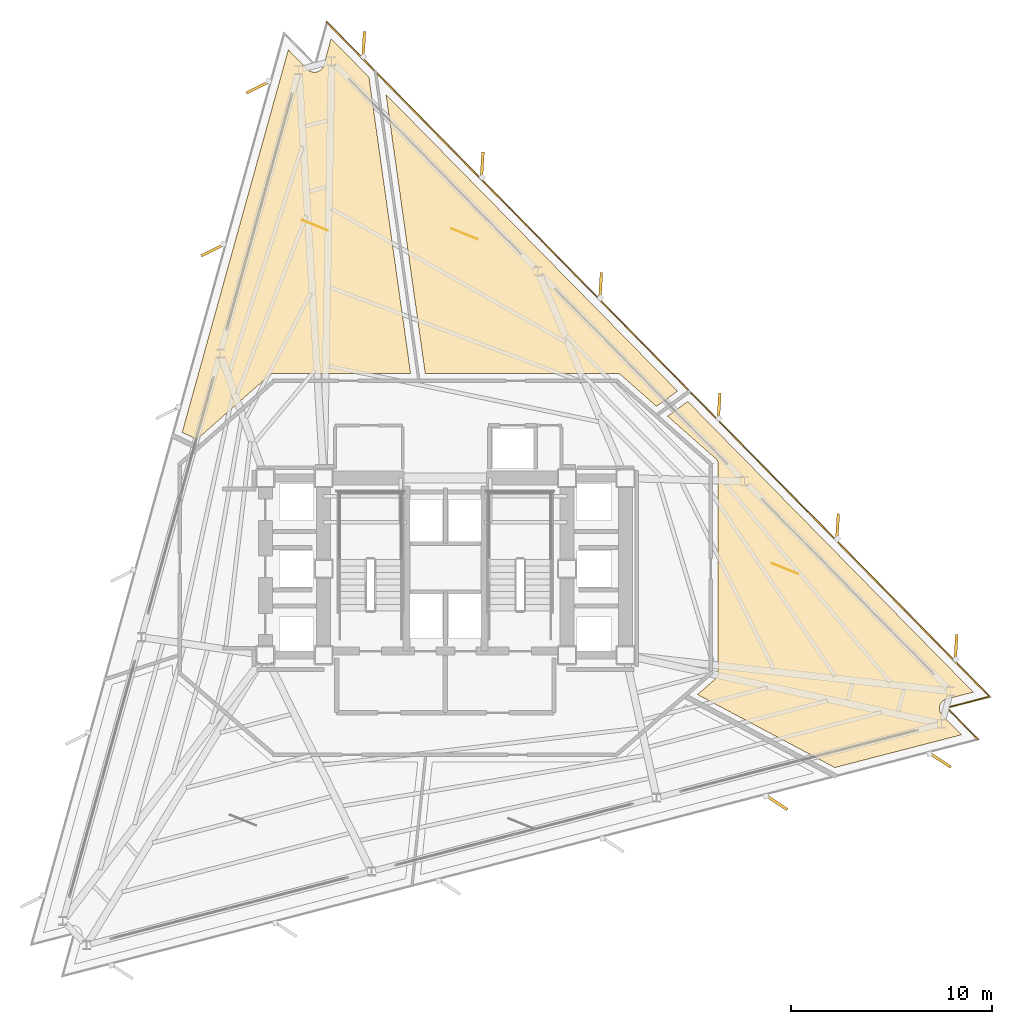
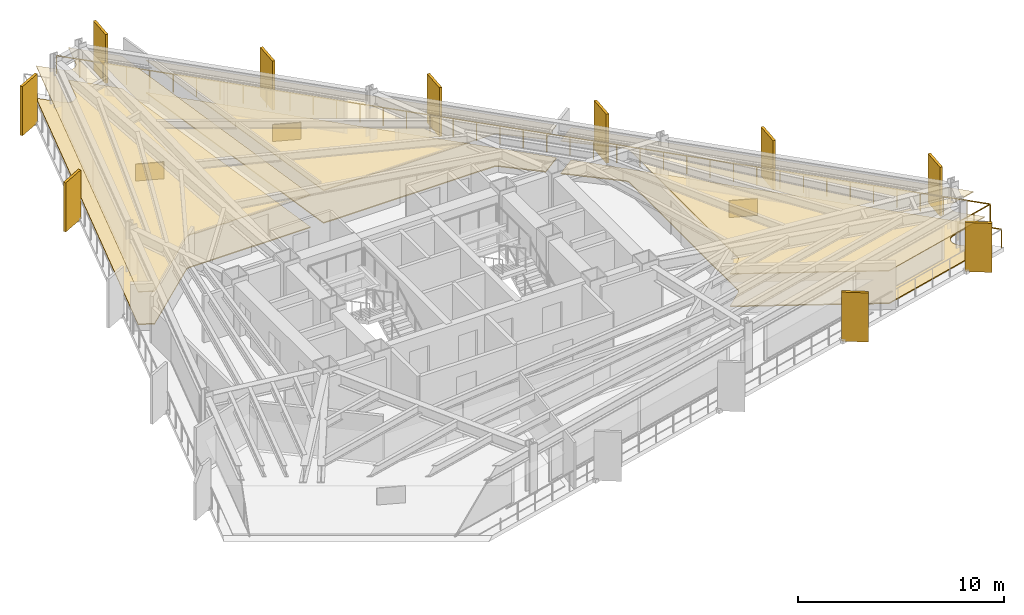
# One storey, part 11 of 11: 10 shading devices, 9 coverings, 1 railing.
"""IFC4 building model written with IfcOpenShell, lengths in metres."""

from ifc_helpers import new_model, si_unit, direction, frame, origin, origin_2d, place, context, subcontext, project, spatial, polyline, rectangle, outline, extrude, material, layer, layer_set, type_object, element, save


model = new_model("IFC4")

# Units and contexts
model_context = context("Model", 3, precision=1e-05, world=origin(), true_north=direction((0.0, 1.0)))
body_context = subcontext(model_context, "Body", "Model", "MODEL_VIEW")
ifc_project = project(units=[si_unit("LENGTHUNIT", "METRE"), si_unit("AREAUNIT", "SQUARE_METRE"), si_unit("VOLUMEUNIT", "CUBIC_METRE"), si_unit("PLANEANGLEUNIT", "RADIAN"), si_unit("MASSUNIT", "GRAM", prefix="KILO")], contexts=[model_context])

# Site, building, storey
site_placement = place(None, origin())
site = spatial("IfcSite", under=ifc_project, at=site_placement, CompositionType="ELEMENT")
building_placement = place(site_placement, origin())
building = spatial("IfcBuilding", under=site, at=building_placement, Name="Rocaltana Carrier Exchange", CompositionType="ELEMENT")
storey_placement = place(building_placement, frame((0.0, 0.0, 85.60009765625)))
storey = spatial("IfcBuildingStorey", under=building, at=storey_placement, Name="L26", CompositionType="ELEMENT", Elevation=85.60009765625)

# Coverings
ifc_material_1 = material(Name="Calcium Sulphate & Aluminium Pedestal", Category="aluminium")
ifc_layer_1 = layer(ifc_material_1, 0.06005859375)
ifc_layer_set_1 = layer_set([ifc_layer_1], Name="Calcium Sulphate & Aluminium Pedestal")
covering_type_1 = type_object("IfcCoveringType", Name="Anti-Static Raised Exchange Access Floor 60", PredefinedType="FLOORING", material=ifc_layer_set_1)
covering_1_placement = place(storey_placement, origin())
element("IfcCovering", 1, at=covering_1_placement, inside=storey, type_object=covering_type_1, Name="L26 Optical Switching Laboratory Finish Floor", PredefinedType="FLOORING", context=body_context, shape_type="SweptSolid", body=[
    extrude(outline(polyline([(26.24072265625, -6.1357421875), (24.915771484375, -6.478515625), (24.90234375, -6.482177734375), (24.88330078125, -6.48828125), (24.857177734375, -6.497802734375), (24.838623046875, -6.505615234375), (24.813720703125, -6.517822265625), (24.796142578125, -6.52734375), (24.7724609375, -6.5419921875), (24.755859375, -6.553466796875), (24.73388671875, -6.5703125), (24.718505859375, -6.583251953125), (24.697998046875, -6.602294921875), (24.684326171875, -6.61669921875), (24.666015625, -6.6376953125), (24.653564453125, -6.6533203125), (24.63720703125, -6.67578125), (24.62646484375, -6.692626953125), (24.61279296875, -6.717041015625), (24.603515625, -6.734619140625), (24.59228515625, -6.76025390625), (24.5849609375, -6.77880859375), (24.576416015625, -6.805419921875), (24.57080078125, -6.824462890625), (24.564697265625, -6.851806640625), (24.561279296875, -6.871337890625), (24.55810546875, -6.899169921875), (24.556640625, -6.9189453125), (24.55615234375, -6.947021484375), (24.556640625, -6.966796875), (24.558837890625, -6.99462890625), (24.561279296875, -7.014404296875), (24.56640625, -7.0419921875), (24.57080078125, -7.061279296875), (24.57861328125, -7.088134765625), (24.5849609375, -7.10693359375), (24.59521484375, -7.133056640625), (24.603515625, -7.151123046875), (24.6162109375, -7.17578125), (24.626220703125, -7.193115234375), (24.6416015625, -7.216552734375), (24.6533203125, -7.232666015625), (24.6708984375, -7.25439453125), (24.68408203125, -7.269287109375), (24.693603515625, -7.279541015625), (25.65283203125, -8.255615234375), (19.356201171875, -9.884033203125), (12.528564453125, -6.25390625), (13.43505859375, -5.47265625), (13.44482421875, -5.4638671875), (13.450439453125, -5.45849609375), (13.468994140625, -5.439208984375), (13.47412109375, -5.433349609375), (13.490478515625, -5.41259765625), (13.4951171875, -5.40625), (13.509521484375, -5.3837890625), (13.51318359375, -5.377197265625), (13.525634765625, -5.353515625), (13.52880859375, -5.346435546875), (13.538818359375, -5.32177734375), (13.541259765625, -5.314453125), (13.548828125, -5.288818359375), (13.550537109375, -5.281494140625), (13.5556640625, -5.255126953125), (13.556884765625, -5.24755859375), (13.559326171875, -5.220947265625), (13.559814453125, -5.21337890625), (13.56005859375, -5.199951171875), (13.56005859375, 5.199951171875), (13.559814453125, 5.213134765625), (13.559326171875, 5.220703125), (13.556884765625, 5.246826171875), (13.555908203125, 5.25439453125), (13.55078125, 5.2802734375), (13.549072265625, 5.28759765625), (13.541748046875, 5.31298828125), (13.539306640625, 5.320068359375), (13.529541015625, 5.344482421875), (13.526611328125, 5.351318359375), (13.5146484375, 5.375), (13.5107421875, 5.38134765625), (13.49658203125, 5.40380859375), (13.492431640625, 5.409912109375), (13.476318359375, 5.4306640625), (13.471435546875, 5.436279296875), (13.453369140625, 5.455810546875), (13.447998046875, 5.4609375), (13.438232421875, 5.469970703125), (11.047119140625, 7.581298828125), (12.047119140625, 8.307861328125), (26.24072265625, -6.1357421875)])), origin(), (0.0, 0.0, 1.0), 0.059814453125),
])
covering_2_placement = place(storey_placement, origin())
element("IfcCovering", 2, at=covering_2_placement, inside=storey, type_object=covering_type_1, Name="L26 Quiet Focus Lounge Finish Floor", PredefinedType="FLOORING", context=body_context, shape_type="SweptSolid", body=[
    extrude(outline(polyline([(11.536865234375, 8.826904296875), (10.494140625, 8.0693359375), (8.73828125, 9.619873046875), (8.727294921875, 9.629150390625), (8.720703125, 9.63427734375), (8.697265625, 9.651123046875), (8.690185546875, 9.655517578125), (8.6650390625, 9.669921875), (8.65771484375, 9.673583984375), (8.631103515625, 9.68505859375), (8.62353515625, 9.68798828125), (8.595947265625, 9.697021484375), (8.587890625, 9.698974609375), (8.5595703125, 9.704833984375), (8.551513671875, 9.706298828125), (8.522705078125, 9.709228515625), (8.514404296875, 9.709716796875), (8.5, 9.7099609375), (-1.001220703125, 9.7099609375), (-2.94873046875, 23.567626953125), (11.536865234375, 8.826904296875)])), origin(), (0.0, 0.0, 1.0), 0.059814453125),
])
covering_3_placement = place(storey_placement, origin())
element("IfcCovering", 3, at=covering_3_placement, inside=storey, type_object=covering_type_1, Name="L26 Peering Conference Room Finish Floor", PredefinedType="FLOORING", context=body_context, shape_type="SweptSolid", body=[
    extrude(outline(polyline([(-7.806640625, 25.79296875), (-6.847412109375, 24.81689453125), (-6.83740234375, 24.80712890625), (-6.82275390625, 24.793701171875), (-6.80126953125, 24.775634765625), (-6.785400390625, 24.763671875), (-6.76220703125, 24.748046875), (-6.7451171875, 24.73779296875), (-6.720703125, 24.724609375), (-6.70263671875, 24.7158203125), (-6.677001953125, 24.705078125), (-6.658203125, 24.698486328125), (-6.63134765625, 24.690185546875), (-6.612060546875, 24.685302734375), (-6.584716796875, 24.679931640625), (-6.56494140625, 24.677001953125), (-6.537109375, 24.67431640625), (-6.517333984375, 24.673583984375), (-6.489501953125, 24.673583984375), (-6.469482421875, 24.6748046875), (-6.441650390625, 24.677490234375), (-6.422119140625, 24.6806640625), (-6.39453125, 24.686279296875), (-6.375244140625, 24.691162109375), (-6.3486328125, 24.699462890625), (-6.330078125, 24.706298828125), (-6.30419921875, 24.71728515625), (-6.286376953125, 24.72607421875), (-6.261962890625, 24.739501953125), (-6.244873046875, 24.75), (-6.221923828125, 24.765869140625), (-6.2060546875, 24.77783203125), (-6.184814453125, 24.7958984375), (-6.170166015625, 24.8095703125), (-6.15087890625, 24.82958984375), (-6.1376953125, 24.844482421875), (-6.120361328125, 24.866455078125), (-6.108642578125, 24.8828125), (-6.09375, 24.90625), (-6.083740234375, 24.923583984375), (-6.071044921875, 24.948486328125), (-6.06298828125, 24.966552734375), (-6.052978515625, 24.99267578125), (-6.046630859375, 25.01171875), (-6.04248046875, 25.02490234375), (-5.6767578125, 26.34375), (-3.797119140625, 24.430908203125), (-1.728271484375, 9.7099609375), (-8.5, 9.7099609375), (-8.514404296875, 9.709716796875), (-8.522705078125, 9.709228515625), (-8.551513671875, 9.706298828125), (-8.5595703125, 9.704833984375), (-8.587890625, 9.698974609375), (-8.595947265625, 9.697021484375), (-8.62353515625, 9.68798828125), (-8.631103515625, 9.68505859375), (-8.65771484375, 9.673583984375), (-8.6650390625, 9.669921875), (-8.690185546875, 9.655517578125), (-8.697265625, 9.651123046875), (-8.720703125, 9.63427734375), (-8.727294921875, 9.629150390625), (-8.73828125, 9.619873046875), (-12.35498046875, 6.426513671875), (-13.07958984375, 6.77978515625), (-7.806640625, 25.79296875)])), origin(), (0.0, 0.0, 1.0), 0.059814453125),
])
ifc_material_2 = material(Name="Mineral Fibre & Powder-Coated Aluminium", Category="aluminium")
ifc_layer_2 = layer(ifc_material_2, 0.044921875)
ifc_layer_set_2 = layer_set([ifc_layer_2], Name="Mineral Fibre & Powder-Coated Aluminium")
covering_type_2 = type_object("IfcCoveringType", Name="Micro-Perforated Acoustic Ceiling 45", PredefinedType="CEILING", material=ifc_layer_set_2)
covering_4_placement = place(storey_placement, frame((0.0, 0.0, 1.932861328125)))
element("IfcCovering", 4, at=covering_4_placement, inside=storey, type_object=covering_type_2, Name="L26 Optical Switching Laboratory Acoustic Ceiling", PredefinedType="CEILING", context=body_context, shape_type="SweptSolid", body=[
    extrude(outline(polyline([(26.24072265625, -6.1357421875), (24.915771484375, -6.478515625), (24.90234375, -6.482177734375), (24.88330078125, -6.48828125), (24.857177734375, -6.497802734375), (24.838623046875, -6.505615234375), (24.813720703125, -6.517822265625), (24.796142578125, -6.52734375), (24.7724609375, -6.5419921875), (24.755859375, -6.553466796875), (24.73388671875, -6.5703125), (24.718505859375, -6.583251953125), (24.697998046875, -6.602294921875), (24.684326171875, -6.61669921875), (24.666015625, -6.6376953125), (24.653564453125, -6.6533203125), (24.63720703125, -6.67578125), (24.62646484375, -6.692626953125), (24.61279296875, -6.717041015625), (24.603515625, -6.734619140625), (24.59228515625, -6.76025390625), (24.5849609375, -6.77880859375), (24.576416015625, -6.805419921875), (24.57080078125, -6.824462890625), (24.564697265625, -6.851806640625), (24.561279296875, -6.871337890625), (24.55810546875, -6.899169921875), (24.556640625, -6.9189453125), (24.55615234375, -6.947021484375), (24.556640625, -6.966796875), (24.558837890625, -6.99462890625), (24.561279296875, -7.014404296875), (24.56640625, -7.0419921875), (24.57080078125, -7.061279296875), (24.57861328125, -7.088134765625), (24.5849609375, -7.10693359375), (24.59521484375, -7.133056640625), (24.603515625, -7.151123046875), (24.6162109375, -7.17578125), (24.626220703125, -7.193115234375), (24.6416015625, -7.216552734375), (24.6533203125, -7.232666015625), (24.6708984375, -7.25439453125), (24.68408203125, -7.269287109375), (24.693603515625, -7.279541015625), (25.65283203125, -8.255615234375), (19.356201171875, -9.884033203125), (12.528564453125, -6.25390625), (13.43505859375, -5.47265625), (13.44482421875, -5.4638671875), (13.450439453125, -5.45849609375), (13.468994140625, -5.439208984375), (13.47412109375, -5.433349609375), (13.490478515625, -5.41259765625), (13.4951171875, -5.40625), (13.509521484375, -5.3837890625), (13.51318359375, -5.377197265625), (13.525634765625, -5.353515625), (13.52880859375, -5.346435546875), (13.538818359375, -5.32177734375), (13.541259765625, -5.314453125), (13.548828125, -5.288818359375), (13.550537109375, -5.281494140625), (13.5556640625, -5.255126953125), (13.556884765625, -5.24755859375), (13.559326171875, -5.220947265625), (13.559814453125, -5.21337890625), (13.56005859375, -5.199951171875), (13.56005859375, 5.199951171875), (13.559814453125, 5.213134765625), (13.559326171875, 5.220703125), (13.556884765625, 5.246826171875), (13.555908203125, 5.25439453125), (13.55078125, 5.2802734375), (13.549072265625, 5.28759765625), (13.541748046875, 5.31298828125), (13.539306640625, 5.320068359375), (13.529541015625, 5.344482421875), (13.526611328125, 5.351318359375), (13.5146484375, 5.375), (13.5107421875, 5.38134765625), (13.49658203125, 5.40380859375), (13.492431640625, 5.409912109375), (13.476318359375, 5.4306640625), (13.471435546875, 5.436279296875), (13.453369140625, 5.455810546875), (13.447998046875, 5.4609375), (13.438232421875, 5.469970703125), (11.047119140625, 7.581298828125), (12.047119140625, 8.307861328125), (26.24072265625, -6.1357421875)])), origin(), (0.0, 0.0, 1.0), 0.044921875),
])
covering_5_placement = place(storey_placement, frame((0.0, 0.0, 1.932861328125)))
element("IfcCovering", 5, at=covering_5_placement, inside=storey, type_object=covering_type_2, Name="L26 Quiet Focus Lounge Acoustic Ceiling", PredefinedType="CEILING", context=body_context, shape_type="SweptSolid", body=[
    extrude(outline(polyline([(11.536865234375, 8.826904296875), (10.494140625, 8.0693359375), (8.73828125, 9.619873046875), (8.727294921875, 9.629150390625), (8.720703125, 9.63427734375), (8.697265625, 9.651123046875), (8.690185546875, 9.655517578125), (8.6650390625, 9.669921875), (8.65771484375, 9.673583984375), (8.631103515625, 9.68505859375), (8.62353515625, 9.68798828125), (8.595947265625, 9.697021484375), (8.587890625, 9.698974609375), (8.5595703125, 9.704833984375), (8.551513671875, 9.706298828125), (8.522705078125, 9.709228515625), (8.514404296875, 9.709716796875), (8.5, 9.7099609375), (-1.001220703125, 9.7099609375), (-2.94873046875, 23.567626953125), (11.536865234375, 8.826904296875)])), origin(), (0.0, 0.0, 1.0), 0.044921875),
])
covering_6_placement = place(storey_placement, frame((0.0, 0.0, 1.932861328125)))
element("IfcCovering", 6, at=covering_6_placement, inside=storey, type_object=covering_type_2, Name="L26 Peering Conference Room Acoustic Ceiling", PredefinedType="CEILING", context=body_context, shape_type="SweptSolid", body=[
    extrude(outline(polyline([(-7.806640625, 25.79296875), (-6.847412109375, 24.81689453125), (-6.83740234375, 24.80712890625), (-6.82275390625, 24.793701171875), (-6.80126953125, 24.775634765625), (-6.785400390625, 24.763671875), (-6.76220703125, 24.748046875), (-6.7451171875, 24.73779296875), (-6.720703125, 24.724609375), (-6.70263671875, 24.7158203125), (-6.677001953125, 24.705078125), (-6.658203125, 24.698486328125), (-6.63134765625, 24.690185546875), (-6.612060546875, 24.685302734375), (-6.584716796875, 24.679931640625), (-6.56494140625, 24.677001953125), (-6.537109375, 24.67431640625), (-6.517333984375, 24.673583984375), (-6.489501953125, 24.673583984375), (-6.469482421875, 24.6748046875), (-6.441650390625, 24.677490234375), (-6.422119140625, 24.6806640625), (-6.39453125, 24.686279296875), (-6.375244140625, 24.691162109375), (-6.3486328125, 24.699462890625), (-6.330078125, 24.706298828125), (-6.30419921875, 24.71728515625), (-6.286376953125, 24.72607421875), (-6.261962890625, 24.739501953125), (-6.244873046875, 24.75), (-6.221923828125, 24.765869140625), (-6.2060546875, 24.77783203125), (-6.184814453125, 24.7958984375), (-6.170166015625, 24.8095703125), (-6.15087890625, 24.82958984375), (-6.1376953125, 24.844482421875), (-6.120361328125, 24.866455078125), (-6.108642578125, 24.8828125), (-6.09375, 24.90625), (-6.083740234375, 24.923583984375), (-6.071044921875, 24.948486328125), (-6.06298828125, 24.966552734375), (-6.052978515625, 24.99267578125), (-6.046630859375, 25.01171875), (-6.04248046875, 25.02490234375), (-5.6767578125, 26.34375), (-3.797119140625, 24.430908203125), (-1.728271484375, 9.7099609375), (-8.5, 9.7099609375), (-8.514404296875, 9.709716796875), (-8.522705078125, 9.709228515625), (-8.551513671875, 9.706298828125), (-8.5595703125, 9.704833984375), (-8.587890625, 9.698974609375), (-8.595947265625, 9.697021484375), (-8.62353515625, 9.68798828125), (-8.631103515625, 9.68505859375), (-8.65771484375, 9.673583984375), (-8.6650390625, 9.669921875), (-8.690185546875, 9.655517578125), (-8.697265625, 9.651123046875), (-8.720703125, 9.63427734375), (-8.727294921875, 9.629150390625), (-8.73828125, 9.619873046875), (-12.35498046875, 6.426513671875), (-13.07958984375, 6.77978515625), (-7.806640625, 25.79296875)])), origin(), (0.0, 0.0, 1.0), 0.044921875),
])
ifc_material_3 = material(Name="Honed Piedra Muneca Sandstone", Category="masonry")
ifc_layer_3 = layer(ifc_material_3, 0.034912109375)
ifc_layer_set_3 = layer_set([ifc_layer_3], Name="Honed Piedra Muneca Sandstone")
covering_type_3 = type_object("IfcCoveringType", Name="Stone Facade Cladding 35", PredefinedType="CLADDING", material=ifc_layer_set_3)
for number, where, z_axis, x_axis, name in (
    (7, (16.885498046875, 0.0, 0.0), (0.0, 0.0, 1.0), (-0.927183854567, 0.374606593416, 0.0), "L26 Stone Facade Cladding Panel 4"),
    (8, (0.942626953125, 16.638916015625, 0.0), (0.0, 0.0, 1.0), (-0.927183854567, 0.374606593416, 0.0), "L26 Stone Facade Cladding Panel 5"),
    (9, (-6.494140625, 17.070556640625, 0.0), (0.0, 0.0, 1.0), (-0.927183854567, 0.374606593416, 0.0), "L26 Stone Facade Cladding Panel 6"),
):
    element("IfcCovering", number, at=place(storey_placement, frame(where, z_axis=z_axis, x_axis=x_axis)), inside=storey, type_object=covering_type_3, Name=name, PredefinedType="CLADDING", context=body_context, shape_type="SweptSolid", body=[
        extrude(rectangle(XDim=1.39990234375, YDim=0.034912109375, at=origin_2d()), origin(), (0.0, 0.0, 1.0), 1.050048828125),
    ])

# Shading devices
ifc_material_4 = material(Name="Honed Bogota Sandstone & Concrete C45/55", Category="masonry")
ifc_layer_4 = layer(ifc_material_4, 0.139892578125)
ifc_layer_set_4 = layer_set([ifc_layer_4], Name="Honed Bogota Sandstone & Concrete C45/55")
shading_device_type = type_object("IfcShadingDeviceType", Name="Vertical Sandstone Shading Fin 1320x140", PredefinedType="USERDEFINED", material=ifc_layer_set_4)
for number, where, z_axis, x_axis, name in (
    (10, (25.38134765625, -3.9189453125, -0.1201171875), (0.0, 0.0, 1.0), (0.061048539535, 0.998134798422, 0.0), "L26 Sandstone Vertical Fin F1-01"),
    (11, (19.49365234375, 2.072509765625, -0.1201171875), (0.0, 0.0, 1.0), (0.061048539535, 0.998134798422, 0.0), "L26 Sandstone Vertical Fin F1-02"),
    (12, (13.60595703125, 8.063720703125, -0.1201171875), (0.0, 0.0, 1.0), (0.061048539535, 0.998134798422, 0.0), "L26 Sandstone Vertical Fin F1-03"),
    (13, (7.718505859375, 14.054931640625, -0.1201171875), (0.0, 0.0, 1.0), (0.061048539535, 0.998134798422, 0.0), "L26 Sandstone Vertical Fin F1-04"),
    (14, (1.830810546875, 20.04638671875, -0.1201171875), (0.0, 0.0, 1.0), (0.061048539535, 0.998134798422, 0.0), "L26 Sandstone Vertical Fin F1-05"),
    (15, (-4.056884765625, 26.03759765625, -0.1201171875), (0.0, 0.0, 1.0), (0.061048539535, 0.998134798422, 0.0), "L26 Sandstone Vertical Fin F1-06"),
    (16, (-9.296630859375, 23.940185546875, -0.1201171875), (0.0, 0.0, 1.0), (-0.894934361602, -0.44619781311, 0.0), "L26 Sandstone Vertical Fin F2-01"),
    (17, (-11.54150390625, 15.845703125, -0.1201171875), (0.0, 0.0, 1.0), (-0.894934361602, -0.44619781311, 0.0), "L26 Sandstone Vertical Fin F2-02"),
    (18, (16.4453125, -11.608642578125, -0.1201171875), (0.0, 0.0, 1.0), (0.833885822067, -0.551936985312, 0.0), "L26 Sandstone Vertical Fin F3-05"),
    (19, (24.57763671875, -9.50537109375, -0.1201171875), (0.0, 0.0, 1.0), (0.833885822067, -0.551936985312, 0.0), "L26 Sandstone Vertical Fin F3-06"),
):
    element("IfcShadingDevice", number, at=place(storey_placement, frame(where, z_axis=z_axis, x_axis=x_axis)), inside=storey, type_object=shading_device_type, Name=name, ObjectType="FIN", PredefinedType="USERDEFINED", context=body_context, shape_type="SweptSolid", body=[
        extrude(rectangle(XDim=1.320068359375, YDim=0.139892578125, at=origin_2d()), origin(), (0.0, 0.0, 1.0), 2.907958984375),
    ])

# Railing
ifc_material_5 = material(Name="Powder-Coated Aluminium 6063-T6", Category="aluminium")
ifc_layer_5 = layer(ifc_material_5, 0.06005859375)
ifc_layer_set_5 = layer_set([ifc_layer_5], Name="Powder-Coated Aluminium 6063-T6")
railing_type = type_object("IfcRailingType", Name="Wind-Floor & Terrace Perimeter Guardrail 1100", PredefinedType="GUARDRAIL", material=ifc_layer_set_5)
railing_placement = place(storey_placement, frame((-5.88720703125, 27.156982421875, 0.0)))
element("IfcRailing", 20, at=railing_placement, inside=storey, type_object=railing_type, Name="L26 Perimeter Balcony Guardrail 3", PredefinedType="GUARDRAIL", context=body_context, shape_type="SweptSolid", body=[
    extrude(rectangle(XDim=0.048095703125, YDim=0.048095703125, at=origin_2d()), frame((0.0, 0.0, 1.076171875), z_axis=(0.7009130267, -0.713246751835, 0.0), x_axis=(0.713246751835, 0.7009130267, 0.0)), (0.0, 0.0, 1.0), 46.9921875),
    extrude(rectangle(XDim=0.048095703125, YDim=0.048095703125, at=origin_2d()), frame((32.9375, -33.51708984375, 1.076171875), z_axis=(-0.968152477167, -0.250361300835, 0.0), x_axis=(0.250361300835, -0.968152477167, 0.0)), (0.0, 0.0, 1.0), 2.199951171875),
    extrude(rectangle(XDim=0.048095703125, YDim=0.048095703125, at=origin_2d()), frame((30.8076171875, -34.06787109375, 1.076171875), z_axis=(0.700920820206, -0.713239093012, 0.0), x_axis=(0.713239093012, 0.700920820206, 0.0)), (0.0, 0.0, 1.0), 2.199951171875),
    extrude(rectangle(XDim=0.0419921875, YDim=0.0419921875, at=origin_2d()), origin(), (0.0, 0.0, 1.0), 1.052001953125),
    extrude(rectangle(XDim=0.0419921875, YDim=0.0419921875, at=origin_2d()), frame((0.823486328125, -0.837890625, 0.0)), (0.0, 0.0, 1.0), 1.052001953125),
    extrude(rectangle(XDim=0.0419921875, YDim=0.0419921875, at=origin_2d()), frame((1.64697265625, -1.67578125, 0.0)), (0.0, 0.0, 1.0), 1.052001953125),
    extrude(rectangle(XDim=0.0419921875, YDim=0.0419921875, at=origin_2d()), frame((2.47021484375, -2.513671875, 0.0)), (0.0, 0.0, 1.0), 1.052001953125),
    extrude(rectangle(XDim=0.0419921875, YDim=0.0419921875, at=origin_2d()), frame((3.293701171875, -3.351806640625, 0.0)), (0.0, 0.0, 1.0), 1.052001953125),
    extrude(rectangle(XDim=0.0419921875, YDim=0.0419921875, at=origin_2d()), frame((4.1171875, -4.189697265625, 0.0)), (0.0, 0.0, 1.0), 1.052001953125),
    extrude(rectangle(XDim=0.0419921875, YDim=0.0419921875, at=origin_2d()), frame((4.940673828125, -5.027587890625, 0.0)), (0.0, 0.0, 1.0), 1.052001953125),
    extrude(rectangle(XDim=0.0419921875, YDim=0.0419921875, at=origin_2d()), frame((5.76416015625, -5.865478515625, 0.0)), (0.0, 0.0, 1.0), 1.052001953125),
    extrude(rectangle(XDim=0.0419921875, YDim=0.0419921875, at=origin_2d()), frame((6.58740234375, -6.703369140625, 0.0)), (0.0, 0.0, 1.0), 1.052001953125),
    extrude(rectangle(XDim=0.0419921875, YDim=0.0419921875, at=origin_2d()), frame((7.410888671875, -7.541259765625, 0.0)), (0.0, 0.0, 1.0), 1.052001953125),
    extrude(rectangle(XDim=0.0419921875, YDim=0.0419921875, at=origin_2d()), frame((8.234375, -8.37939453125, 0.0)), (0.0, 0.0, 1.0), 1.052001953125),
    extrude(rectangle(XDim=0.0419921875, YDim=0.0419921875, at=origin_2d()), frame((9.057861328125, -9.21728515625, 0.0)), (0.0, 0.0, 1.0), 1.052001953125),
    extrude(rectangle(XDim=0.0419921875, YDim=0.0419921875, at=origin_2d()), frame((9.88134765625, -10.05517578125, 0.0)), (0.0, 0.0, 1.0), 1.052001953125),
    extrude(rectangle(XDim=0.0419921875, YDim=0.0419921875, at=origin_2d()), frame((10.70458984375, -10.89306640625, 0.0)), (0.0, 0.0, 1.0), 1.052001953125),
    extrude(rectangle(XDim=0.0419921875, YDim=0.0419921875, at=origin_2d()), frame((11.528076171875, -11.73095703125, 0.0)), (0.0, 0.0, 1.0), 1.052001953125),
    extrude(rectangle(XDim=0.0419921875, YDim=0.0419921875, at=origin_2d()), frame((12.3515625, -12.56884765625, 0.0)), (0.0, 0.0, 1.0), 1.052001953125),
    extrude(rectangle(XDim=0.0419921875, YDim=0.0419921875, at=origin_2d()), frame((13.175048828125, -13.40673828125, 0.0)), (0.0, 0.0, 1.0), 1.052001953125),
    extrude(rectangle(XDim=0.0419921875, YDim=0.0419921875, at=origin_2d()), frame((13.99853515625, -14.244873046875, 0.0)), (0.0, 0.0, 1.0), 1.052001953125),
    extrude(rectangle(XDim=0.0419921875, YDim=0.0419921875, at=origin_2d()), frame((14.82177734375, -15.082763671875, 0.0)), (0.0, 0.0, 1.0), 1.052001953125),
    extrude(rectangle(XDim=0.0419921875, YDim=0.0419921875, at=origin_2d()), frame((15.645263671875, -15.920654296875, 0.0)), (0.0, 0.0, 1.0), 1.052001953125),
    extrude(rectangle(XDim=0.0419921875, YDim=0.0419921875, at=origin_2d()), frame((16.46875, -16.758544921875, 0.0)), (0.0, 0.0, 1.0), 1.052001953125),
    extrude(rectangle(XDim=0.0419921875, YDim=0.0419921875, at=origin_2d()), frame((17.292236328125, -17.596435546875, 0.0)), (0.0, 0.0, 1.0), 1.052001953125),
    extrude(rectangle(XDim=0.0419921875, YDim=0.0419921875, at=origin_2d()), frame((18.11572265625, -18.434326171875, 0.0)), (0.0, 0.0, 1.0), 1.052001953125),
    extrude(rectangle(XDim=0.0419921875, YDim=0.0419921875, at=origin_2d()), frame((18.93896484375, -19.272216796875, 0.0)), (0.0, 0.0, 1.0), 1.052001953125),
    extrude(rectangle(XDim=0.0419921875, YDim=0.0419921875, at=origin_2d()), frame((19.762451171875, -20.1103515625, 0.0)), (0.0, 0.0, 1.0), 1.052001953125),
    extrude(rectangle(XDim=0.0419921875, YDim=0.0419921875, at=origin_2d()), frame((20.5859375, -20.9482421875, 0.0)), (0.0, 0.0, 1.0), 1.052001953125),
    extrude(rectangle(XDim=0.0419921875, YDim=0.0419921875, at=origin_2d()), frame((21.409423828125, -21.7861328125, 0.0)), (0.0, 0.0, 1.0), 1.052001953125),
    extrude(rectangle(XDim=0.0419921875, YDim=0.0419921875, at=origin_2d()), frame((22.23291015625, -22.6240234375, 0.0)), (0.0, 0.0, 1.0), 1.052001953125),
    extrude(rectangle(XDim=0.0419921875, YDim=0.0419921875, at=origin_2d()), frame((23.05615234375, -23.4619140625, 0.0)), (0.0, 0.0, 1.0), 1.052001953125),
    extrude(rectangle(XDim=0.0419921875, YDim=0.0419921875, at=origin_2d()), frame((23.879638671875, -24.2998046875, 0.0)), (0.0, 0.0, 1.0), 1.052001953125),
    extrude(rectangle(XDim=0.0419921875, YDim=0.0419921875, at=origin_2d()), frame((24.703125, -25.1376953125, 0.0)), (0.0, 0.0, 1.0), 1.052001953125),
    extrude(rectangle(XDim=0.0419921875, YDim=0.0419921875, at=origin_2d()), frame((25.526611328125, -25.975830078125, 0.0)), (0.0, 0.0, 1.0), 1.052001953125),
    extrude(rectangle(XDim=0.0419921875, YDim=0.0419921875, at=origin_2d()), frame((26.35009765625, -26.813720703125, 0.0)), (0.0, 0.0, 1.0), 1.052001953125),
    extrude(rectangle(XDim=0.0419921875, YDim=0.0419921875, at=origin_2d()), frame((27.17333984375, -27.651611328125, 0.0)), (0.0, 0.0, 1.0), 1.052001953125),
    extrude(rectangle(XDim=0.0419921875, YDim=0.0419921875, at=origin_2d()), frame((27.996826171875, -28.489501953125, 0.0)), (0.0, 0.0, 1.0), 1.052001953125),
    extrude(rectangle(XDim=0.0419921875, YDim=0.0419921875, at=origin_2d()), frame((28.8203125, -29.327392578125, 0.0)), (0.0, 0.0, 1.0), 1.052001953125),
    extrude(rectangle(XDim=0.0419921875, YDim=0.0419921875, at=origin_2d()), frame((29.643798828125, -30.165283203125, 0.0)), (0.0, 0.0, 1.0), 1.052001953125),
    extrude(rectangle(XDim=0.0419921875, YDim=0.0419921875, at=origin_2d()), frame((30.46728515625, -31.00341796875, 0.0)), (0.0, 0.0, 1.0), 1.052001953125),
    extrude(rectangle(XDim=0.0419921875, YDim=0.0419921875, at=origin_2d()), frame((31.29052734375, -31.84130859375, 0.0)), (0.0, 0.0, 1.0), 1.052001953125),
    extrude(rectangle(XDim=0.0419921875, YDim=0.0419921875, at=origin_2d()), frame((32.114013671875, -32.67919921875, 0.0)), (0.0, 0.0, 1.0), 1.052001953125),
    extrude(rectangle(XDim=0.0419921875, YDim=0.0419921875, at=origin_2d()), frame((32.9375, -33.51708984375, 0.0)), (0.0, 0.0, 1.0), 1.052001953125),
    extrude(rectangle(XDim=0.0419921875, YDim=0.0419921875, at=origin_2d()), frame((31.87255859375, -33.79248046875, 0.0)), (0.0, 0.0, 1.0), 1.052001953125),
    extrude(rectangle(XDim=0.0419921875, YDim=0.0419921875, at=origin_2d()), frame((30.8076171875, -34.06787109375, 0.0)), (0.0, 0.0, 1.0), 1.052001953125),
    extrude(rectangle(XDim=0.0419921875, YDim=0.0419921875, at=origin_2d()), frame((31.57861328125, -34.8525390625, 0.0)), (0.0, 0.0, 1.0), 1.052001953125),
    extrude(rectangle(XDim=0.0419921875, YDim=0.0419921875, at=origin_2d()), frame((32.349609375, -35.636962890625, 0.0)), (0.0, 0.0, 1.0), 1.052001953125),
])

save(model, "model.ifc")
